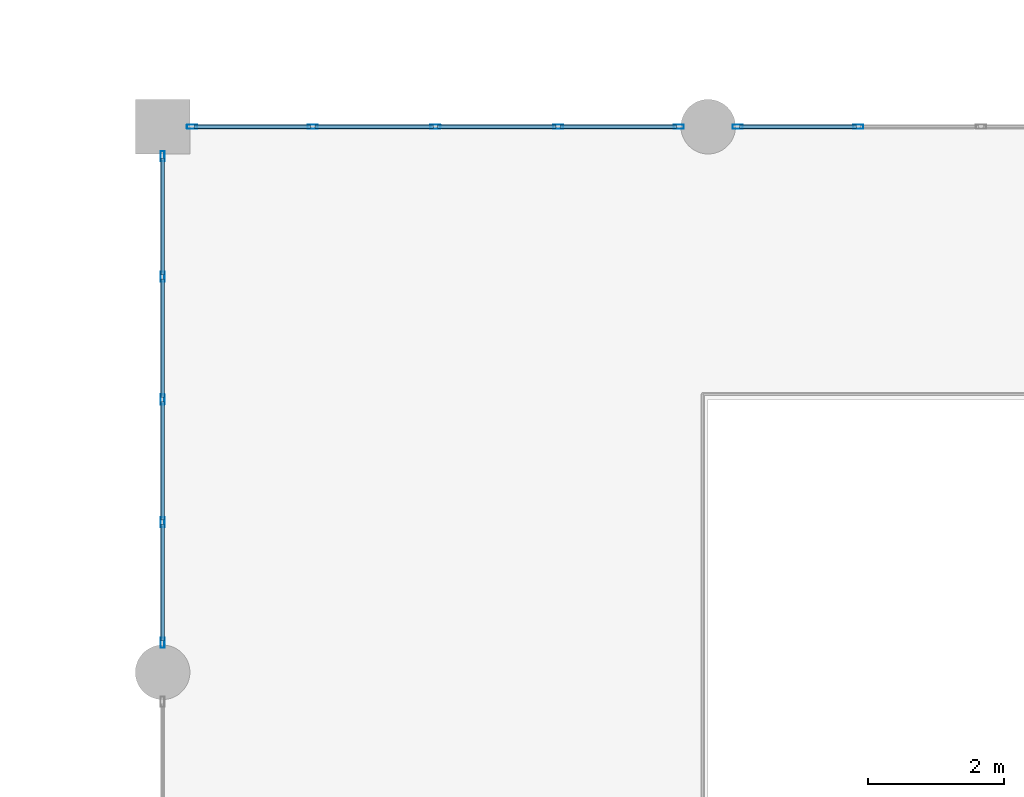
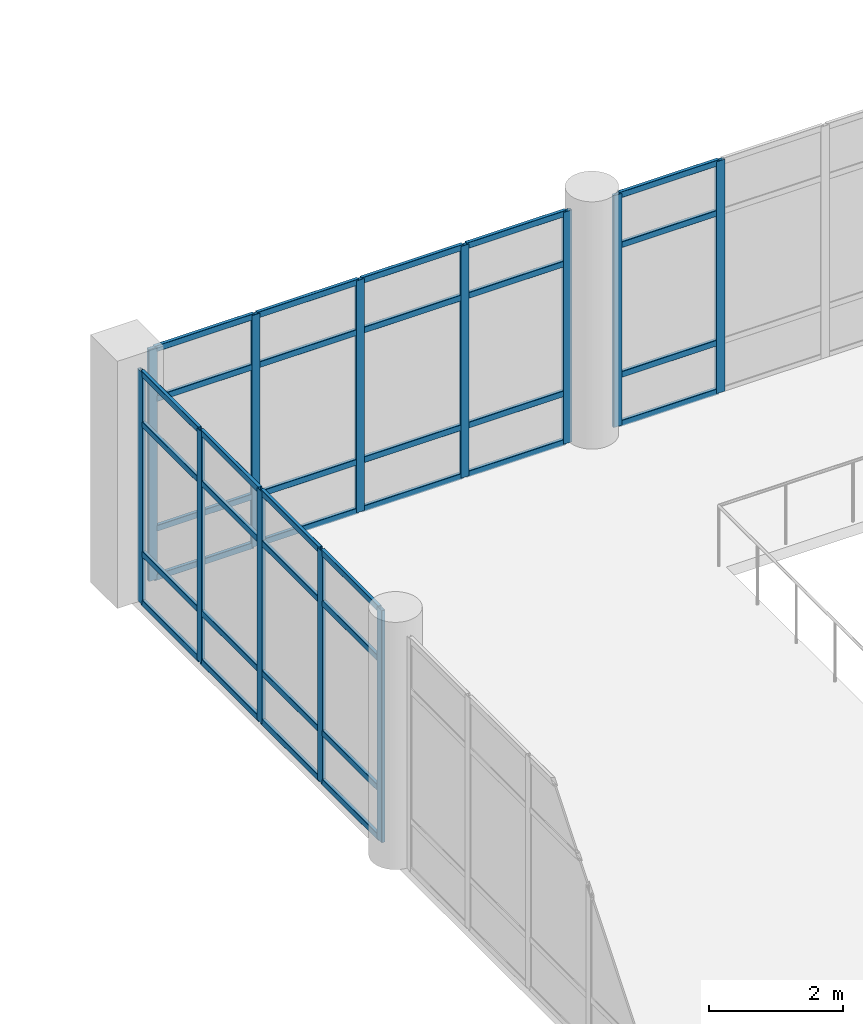
# One storey, part 23 of 42: 48 members, 3 elements without a shape of their own.
"""IFC4 building model written with IfcOpenShell, lengths in metres."""

import ifcopenshell
import ifcopenshell.guid

model = None  # the IFC model being written
_history = None  # IfcOwnerHistory: only IFC2X3 demands one
_inside = {}  # id of a spatial element -> (the spatial element, [elements in it])
_under = {}  # id of a project, library or spatial element -> (it, [spatial elements below it])
_declared = {}  # id of a project -> (the project, [libraries it declares])
_typed = {}  # id of a type object -> (the type object, [elements of that type])
_made_of = {}  # id of a material, layer set ... -> (it, [elements and type objects made of it])


def new_model(schema):
    """Start an empty IFC model of exactly this schema.

    Asked for "IFC4X3", IfcOpenShell would pick the latest addendum, in which some entities
    have other attributes; the version numbers below select the first issue.
    IFC2X3 requires an IfcOwnerHistory on every rooted entity: one is made here for all.
    """
    global model, _history
    if schema == "IFC4X3":
        model = ifcopenshell.file(schema_version=(4, 3, 0, 0))
    else:
        model = ifcopenshell.file(schema=schema)
    _inside.clear()
    _under.clear()
    _declared.clear()
    _typed.clear()
    _made_of.clear()
    _history = None
    if model.schema == "IFC2X3":
        org = make("IfcOrganization", Name="unknown")
        user = make(
            "IfcPersonAndOrganization",
            ThePerson=make("IfcPerson", FamilyName="unknown"),
            TheOrganization=org,
        )
        app = make(
            "IfcApplication",
            ApplicationDeveloper=org,
            Version="unknown",
            ApplicationFullName="unknown",
            ApplicationIdentifier="unknown",
        )
        _history = make(
            "IfcOwnerHistory",
            OwningUser=user,
            OwningApplication=app,
            ChangeAction="ADDED",
            CreationDate=0,
        )
    return model


def make(cls, **values):
    """One entity of the class cls with the attributes given. An attribute that is None is left unset."""
    return model.create_entity(
        cls, **{name: value for name, value in values.items() if value is not None}
    )


def rooted(cls, **values):
    """An entity with a GlobalId (a new one), such as an element, a storey or a relation."""
    return make(cls, GlobalId=ifcopenshell.guid.new(), OwnerHistory=_history, **values)


def si_unit(unit_type, name, prefix=None):
    """IfcSIUnit, for example si_unit("LENGTHUNIT", "METRE", prefix="MILLI")."""
    return make("IfcSIUnit", UnitType=unit_type, Prefix=prefix, Name=name)


def assignment(units):
    """IfcUnitAssignment: the units of a project."""
    return None if units is None else make("IfcUnitAssignment", Units=units)


def point(xyz):
    """IfcCartesianPoint."""
    return None if xyz is None else make("IfcCartesianPoint", Coordinates=xyz)


def direction(xyz):
    """IfcDirection."""
    return None if xyz is None else make("IfcDirection", DirectionRatios=xyz)


def frame(location, z_axis=None, x_axis=None):
    """IfcAxis2Placement3D, a coordinate frame: its origin and axes. An axis left out is left unset."""
    return make(
        "IfcAxis2Placement3D",
        Location=point(location),
        Axis=direction(z_axis),
        RefDirection=direction(x_axis),
    )


def frame_2d(location, x_axis=None):
    """IfcAxis2Placement2D, a coordinate frame in the plane: its origin and x axis."""
    return make(
        "IfcAxis2Placement2D", Location=point(location), RefDirection=direction(x_axis)
    )


def origin():
    """The frame at (0, 0, 0) with its axes left unset."""
    return frame((0.0, 0.0, 0.0))


def origin_2d():
    """The frame at (0, 0) in the plane with its x axis left unset."""
    return frame_2d((0.0, 0.0))


def place(relative_to, where):
    """IfcLocalPlacement: puts the frame where relative to a parent placement (None: the world)."""
    return make(
        "IfcLocalPlacement", PlacementRelTo=relative_to, RelativePlacement=where
    )


def context(
    kind, dimensions, precision=None, world=None, true_north=None, identifier=None
):
    """IfcGeometricRepresentationContext, for example the 3D "Model" context."""
    return make(
        "IfcGeometricRepresentationContext",
        ContextIdentifier=identifier,
        ContextType=kind,
        CoordinateSpaceDimension=dimensions,
        Precision=precision,
        WorldCoordinateSystem=world,
        TrueNorth=true_north,
    )


def subcontext(parent, identifier, kind, view, scale=None):
    """IfcGeometricRepresentationSubContext, for example "Body" below "Model"."""
    return make(
        "IfcGeometricRepresentationSubContext",
        ContextIdentifier=identifier,
        ContextType=kind,
        ParentContext=parent,
        TargetScale=scale,
        TargetView=view,
    )


def project(units=None, contexts=None):
    """IfcProject with its units and contexts."""
    return rooted(
        "IfcProject",
        Name="project",
        RepresentationContexts=contexts,
        UnitsInContext=assignment(units),
    )


def spatial(cls, under=None, at=None, **own):
    """A site, building, storey or space (cls), placed at a placement, below another one or the project."""
    s = rooted(cls, ObjectPlacement=at, **own)
    if under is not None:
        _under.setdefault(under.id(), (under, []))[1].append(s)
    return s


def profile(cls, at=None, kind="AREA", **sizes):
    """A parametric profile (cls). Its sizes go by their IFC names, for example OverallWidth=200.0."""
    return make(cls, ProfileType=kind, Position=at, **sizes)


def hollow_rectangle(**sizes):
    """IfcRectangleHollowProfileDef."""
    return profile("IfcRectangleHollowProfileDef", **sizes)


def extrude(swept, where, along, depth):
    """IfcExtrudedAreaSolid: the profile swept, set in the frame where, extruded along a direction by depth."""
    return make(
        "IfcExtrudedAreaSolid",
        SweptArea=swept,
        Position=where,
        ExtrudedDirection=direction(along),
        Depth=depth,
    )


def shape(context_of_items, identifier, shape_type, items):
    """IfcShapeRepresentation: the items that make up one representation, for example the "Body"."""
    return make(
        "IfcShapeRepresentation",
        ContextOfItems=context_of_items,
        RepresentationIdentifier=identifier,
        RepresentationType=shape_type,
        Items=items,
    )


def material(Name=None, Category=None):
    """IfcMaterial."""
    return make("IfcMaterial", Name=Name, Category=Category)


def material_profile(
    of_material, cross_section, Name=None, Category=None, Priority=None
):
    """IfcMaterialProfile: a cross section and its material."""
    return make(
        "IfcMaterialProfile",
        Name=Name,
        Material=of_material,
        Profile=cross_section,
        Priority=Priority,
        Category=Category,
    )


def profile_set(profiles, Name=None, composite=None):
    """IfcMaterialProfileSet."""
    return make(
        "IfcMaterialProfileSet",
        Name=Name,
        MaterialProfiles=profiles,
        CompositeProfile=composite,
    )


def made_of(thing, what):
    """Note that an element or type object is made of a material, layer set ...; save() writes the relation."""
    if what is not None:
        _made_of.setdefault(what.id(), (what, []))[1].append(thing)
    return thing


def type_object(cls, material=None, **own):
    """A type object (cls), such as IfcWallType, which elements share."""
    return made_of(rooted(cls, **own), material)


def element(
    cls,
    number,
    at=None,
    inside=None,
    cuts=None,
    type_object=None,
    material=None,
    context=None,
    identifier="Body",
    shape_type=None,
    held_by="IfcProductDefinitionShape",
    body=None,
    shapes=None,
    **own,
):
    """One element of the class cls, such as IfcWall. Its Tag is "e" and its number.

    at: its placement. inside: the storey or other place that contains it. cuts: it is an
    opening in that element (IfcRelVoidsElement). A single representation is given by context,
    identifier, shape_type and body (its items); several are given by shapes. held_by: the class
    of the entity that holds the representations. save() writes the other relations.
    """
    e = rooted(cls, Tag="e%d" % number, ObjectPlacement=at, **own)
    if body is not None:
        shapes = [shape(context, identifier, shape_type, body)]
    if shapes is not None:
        e.Representation = make(held_by, Representations=shapes)
    if inside is not None:
        _inside.setdefault(inside.id(), (inside, []))[1].append(e)
    if cuts is not None:
        rooted(
            "IfcRelVoidsElement", RelatingBuildingElement=cuts, RelatedOpeningElement=e
        )
    if type_object is not None:
        _typed.setdefault(type_object.id(), (type_object, []))[1].append(e)
    return made_of(e, material)


def aggregate(whole, parts):
    """IfcRelAggregates: a whole, such as a stair, and the parts it consists of."""
    return rooted("IfcRelAggregates", RelatingObject=whole, RelatedObjects=parts)


def save(model, path):
    """Write the relations noted so far, then the file.

    IfcRelAggregates (storeys below a building ...), IfcRelContainedInSpatialStructure (elements
    in a storey), IfcRelDefinesByType, IfcRelAssociatesMaterial and IfcRelDeclares: one each for
    every whole, place, type object, material and project.
    """
    for whole, parts in _under.values():
        aggregate(whole, parts)
    for where, things in _inside.values():
        rooted(
            "IfcRelContainedInSpatialStructure",
            RelatedElements=things,
            RelatingStructure=where,
        )
    for kind, things in _typed.values():
        rooted("IfcRelDefinesByType", RelatedObjects=things, RelatingType=kind)
    for what, things in _made_of.values():
        rooted("IfcRelAssociatesMaterial", RelatedObjects=things, RelatingMaterial=what)
    for by, libraries in _declared.values():
        rooted("IfcRelDeclares", RelatingContext=by, RelatedDefinitions=libraries)
    model.write(path)


model = new_model("IFC4")

# Units and contexts
model_context = context("Model", 3, precision=1e-05, world=origin(), true_north=direction((0.0, 1.0)))
body_context = subcontext(model_context, "Body", "Model", "MODEL_VIEW")
ifc_project = project(units=[si_unit("LENGTHUNIT", "METRE"), si_unit("AREAUNIT", "SQUARE_METRE"), si_unit("VOLUMEUNIT", "CUBIC_METRE"), si_unit("PLANEANGLEUNIT", "RADIAN"), si_unit("MASSUNIT", "GRAM", prefix="KILO")], contexts=[model_context])

# Site, building, storey
site_placement = place(None, origin())
site = spatial("IfcSite", under=ifc_project, at=site_placement, CompositionType="ELEMENT")
building_placement = place(site_placement, origin())
building = spatial("IfcBuilding", under=site, at=building_placement, Name="Solmirada Galleria", CompositionType="ELEMENT")
storey_placement = place(building_placement, frame((0.0, 0.0, 28.39990234375)))
storey = spatial("IfcBuildingStorey", under=building, at=storey_placement, Name="L06", CompositionType="ELEMENT", Elevation=28.39990234375)

# Curtain wall, members
ifc_material_1 = material(Name="Impact-resistant low-E double glazing", Category="glass")
curtain_wall_type = type_object("IfcCurtainWallType", Name="CW-FZ3-L06-B4-L072", PredefinedType="NOTDEFINED", material=ifc_material_1)
curtain_wall_1_placement = place(storey_placement, origin())
curtain_wall_1 = element("IfcCurtainWall", 1, at=curtain_wall_1_placement, inside=storey, type_object=curtain_wall_type, Name="Terrace and arcade storefront CW-L06-188", PredefinedType="NOTDEFINED")
ifc_material_2 = material(Name="Anodised aluminium framing", Category="aluminium")
ifc_material_profile_1 = material_profile(ifc_material_2, hollow_rectangle(XDim=0.06005859375, YDim=0.14990234375, WallThickness=0.00341796875, InnerFilletRadius=0.00341796875, OuterFilletRadius=0.007080078125, at=origin_2d()), Name="ALU-MULL-150X60")
ifc_profile_set_1 = profile_set([ifc_material_profile_1], Name="Anodised aluminium framing")
member_type_1 = type_object("IfcMemberType", Name="CW-MULL-150", PredefinedType="MULLION", material=ifc_profile_set_1)
member_1_placement = place(storey_placement, frame((80.0, 64.431884765625, 0.0), z_axis=(0.0, 0.0, 1.0), x_axis=(-1.0, 0.0, 0.0)))
member_1 = element("IfcMember", 2, at=member_1_placement, type_object=member_type_1, Name="CW38 mullion 1", PredefinedType="MULLION", context=body_context, shape_type="SweptSolid", body=[
    extrude(hollow_rectangle(XDim=0.06005859375, YDim=0.14990234375, WallThickness=0.00341796875, InnerFilletRadius=0.00341796875, OuterFilletRadius=0.007080078125, at=origin_2d()), origin(), (0.0, 0.0, 1.0), 4.22021484375),
])
member_2_placement = place(storey_placement, frame((80.0, 66.200927734375, 0.0), z_axis=(0.0, 0.0, 1.0), x_axis=(-1.0, 0.0, 0.0)))
member_2 = element("IfcMember", 3, at=member_2_placement, type_object=member_type_1, Name="CW38 mullion 2", PredefinedType="MULLION", context=body_context, shape_type="SweptSolid", body=[
    extrude(hollow_rectangle(XDim=0.06005859375, YDim=0.14990234375, WallThickness=0.00341796875, InnerFilletRadius=0.00341796875, OuterFilletRadius=0.007080078125, at=origin_2d()), origin(), (0.0, 0.0, 1.0), 4.22021484375),
])
member_3_placement = place(storey_placement, frame((80.0, 68.0, 0.0), z_axis=(0.0, 0.0, 1.0), x_axis=(-1.0, 0.0, 0.0)))
member_3 = element("IfcMember", 4, at=member_3_placement, type_object=member_type_1, Name="CW38 mullion 3", PredefinedType="MULLION", context=body_context, shape_type="SweptSolid", body=[
    extrude(hollow_rectangle(XDim=0.06005859375, YDim=0.14990234375, WallThickness=0.00341796875, InnerFilletRadius=0.00341796875, OuterFilletRadius=0.007080078125, at=origin_2d()), origin(), (0.0, 0.0, 1.0), 4.22021484375),
])
member_4_placement = place(storey_placement, frame((80.0, 69.799072265625, 0.0), z_axis=(0.0, 0.0, 1.0), x_axis=(-1.0, 0.0, 0.0)))
member_4 = element("IfcMember", 5, at=member_4_placement, type_object=member_type_1, Name="CW38 mullion 4", PredefinedType="MULLION", context=body_context, shape_type="SweptSolid", body=[
    extrude(hollow_rectangle(XDim=0.06005859375, YDim=0.14990234375, WallThickness=0.00341796875, InnerFilletRadius=0.00341796875, OuterFilletRadius=0.007080078125, at=origin_2d()), origin(), (0.0, 0.0, 1.0), 4.22021484375),
])
member_5_placement = place(storey_placement, frame((80.0, 71.568115234375, 0.0), z_axis=(0.0, 0.0, 1.0), x_axis=(-1.0, 0.0, 0.0)))
member_5 = element("IfcMember", 6, at=member_5_placement, type_object=member_type_1, Name="CW38 mullion 5", PredefinedType="MULLION", context=body_context, shape_type="SweptSolid", body=[
    extrude(hollow_rectangle(XDim=0.06005859375, YDim=0.14990234375, WallThickness=0.00341796875, InnerFilletRadius=0.00341796875, OuterFilletRadius=0.007080078125, at=origin_2d()), origin(), (0.0, 0.0, 1.0), 4.22021484375),
])

curtain_wall_2_placement = place(storey_placement, origin())
curtain_wall_2 = element("IfcCurtainWall", 7, at=curtain_wall_2_placement, inside=storey, type_object=curtain_wall_type, Name="Terrace and arcade storefront CW-L06-189", PredefinedType="NOTDEFINED")
member_6_placement = place(storey_placement, frame((80.431884765625, 72.0, 0.0), z_axis=(0.0, 0.0, 1.0), x_axis=(0.0, 1.0, 0.0)))
member_6 = element("IfcMember", 8, at=member_6_placement, type_object=member_type_1, Name="CW38 mullion 1", PredefinedType="MULLION", context=body_context, shape_type="SweptSolid", body=[
    extrude(hollow_rectangle(XDim=0.06005859375, YDim=0.14990234375, WallThickness=0.00341796875, InnerFilletRadius=0.00341796875, OuterFilletRadius=0.007080078125, at=origin_2d()), origin(), (0.0, 0.0, 1.0), 4.22021484375),
])
member_7_placement = place(storey_placement, frame((82.200927734375, 72.0, 0.0), z_axis=(0.0, 0.0, 1.0), x_axis=(0.0, 1.0, 0.0)))
member_7 = element("IfcMember", 9, at=member_7_placement, type_object=member_type_1, Name="CW38 mullion 2", PredefinedType="MULLION", context=body_context, shape_type="SweptSolid", body=[
    extrude(hollow_rectangle(XDim=0.06005859375, YDim=0.14990234375, WallThickness=0.00341796875, InnerFilletRadius=0.00341796875, OuterFilletRadius=0.007080078125, at=origin_2d()), origin(), (0.0, 0.0, 1.0), 4.22021484375),
])
member_8_placement = place(storey_placement, frame((84.0, 72.0, 0.0), z_axis=(0.0, 0.0, 1.0), x_axis=(0.0, 1.0, 0.0)))
member_8 = element("IfcMember", 10, at=member_8_placement, type_object=member_type_1, Name="CW38 mullion 3", PredefinedType="MULLION", context=body_context, shape_type="SweptSolid", body=[
    extrude(hollow_rectangle(XDim=0.06005859375, YDim=0.14990234375, WallThickness=0.00341796875, InnerFilletRadius=0.00341796875, OuterFilletRadius=0.007080078125, at=origin_2d()), origin(), (0.0, 0.0, 1.0), 4.22021484375),
])
member_9_placement = place(storey_placement, frame((85.799072265625, 72.0, 0.0), z_axis=(0.0, 0.0, 1.0), x_axis=(0.0, 1.0, 0.0)))
member_9 = element("IfcMember", 11, at=member_9_placement, type_object=member_type_1, Name="CW38 mullion 4", PredefinedType="MULLION", context=body_context, shape_type="SweptSolid", body=[
    extrude(hollow_rectangle(XDim=0.06005859375, YDim=0.14990234375, WallThickness=0.00341796875, InnerFilletRadius=0.00341796875, OuterFilletRadius=0.007080078125, at=origin_2d()), origin(), (0.0, 0.0, 1.0), 4.22021484375),
])
member_10_placement = place(storey_placement, frame((87.568115234375, 72.0, 0.0), z_axis=(0.0, 0.0, 1.0), x_axis=(0.0, 1.0, 0.0)))
member_10 = element("IfcMember", 12, at=member_10_placement, type_object=member_type_1, Name="CW38 mullion 5", PredefinedType="MULLION", context=body_context, shape_type="SweptSolid", body=[
    extrude(hollow_rectangle(XDim=0.06005859375, YDim=0.14990234375, WallThickness=0.00341796875, InnerFilletRadius=0.00341796875, OuterFilletRadius=0.007080078125, at=origin_2d()), origin(), (0.0, 0.0, 1.0), 4.22021484375),
])

curtain_wall_3_placement = place(storey_placement, origin())
curtain_wall_3 = element("IfcCurtainWall", 13, at=curtain_wall_3_placement, inside=storey, type_object=curtain_wall_type, Name="Terrace and arcade storefront CW-L06-190", PredefinedType="NOTDEFINED")
member_11_placement = place(storey_placement, frame((88.431884765625, 72.0, 0.0), z_axis=(0.0, 0.0, 1.0), x_axis=(0.0, 1.0, 0.0)))
member_11 = element("IfcMember", 14, at=member_11_placement, type_object=member_type_1, Name="CW38 mullion 1", PredefinedType="MULLION", context=body_context, shape_type="SweptSolid", body=[
    extrude(hollow_rectangle(XDim=0.06005859375, YDim=0.14990234375, WallThickness=0.00341796875, InnerFilletRadius=0.00341796875, OuterFilletRadius=0.007080078125, at=origin_2d()), origin(), (0.0, 0.0, 1.0), 4.22021484375),
])
member_12_placement = place(storey_placement, frame((90.200927734375, 72.0, 0.0), z_axis=(0.0, 0.0, 1.0), x_axis=(0.0, 1.0, 0.0)))
member_12 = element("IfcMember", 15, at=member_12_placement, type_object=member_type_1, Name="CW38 mullion 2", PredefinedType="MULLION", context=body_context, shape_type="SweptSolid", body=[
    extrude(hollow_rectangle(XDim=0.06005859375, YDim=0.14990234375, WallThickness=0.00341796875, InnerFilletRadius=0.00341796875, OuterFilletRadius=0.007080078125, at=origin_2d()), origin(), (0.0, 0.0, 1.0), 4.22021484375),
])

# Member
ifc_material_profile_2 = material_profile(ifc_material_2, hollow_rectangle(XDim=0.06005859375, YDim=0.110107421875, WallThickness=0.003173828125, InnerFilletRadius=0.003173828125, OuterFilletRadius=0.00634765625, at=origin_2d()), Name="ALU-TRAN-110X60")
ifc_profile_set_2 = profile_set([ifc_material_profile_2], Name="Anodised aluminium framing")
member_type_2 = type_object("IfcMemberType", Name="CW-TRAN-110", PredefinedType="USERDEFINED", material=ifc_profile_set_2)
member_13_placement = place(storey_placement, frame((80.0, 64.4619140625, 0.030029296875), z_axis=(0.0, 1.0, 0.0), x_axis=(-1.0, 0.0, 0.0)))
member_13 = element("IfcMember", 16, at=member_13_placement, type_object=member_type_2, Name="CW38 transom 1.1", ObjectType="TRANSOM", PredefinedType="USERDEFINED", context=body_context, shape_type="SweptSolid", body=[
    extrude(hollow_rectangle(XDim=0.06005859375, YDim=0.110107421875, WallThickness=0.003173828125, InnerFilletRadius=0.003173828125, OuterFilletRadius=0.00634765625, at=origin_2d()), origin(), (0.0, 0.0, 1.0), 1.708984375),
])

member_14_placement = place(storey_placement, frame((80.0, 64.4619140625, 0.920166015625), z_axis=(0.0, 1.0, 0.0), x_axis=(-1.0, 0.0, 0.0)))
member_14 = element("IfcMember", 17, at=member_14_placement, type_object=member_type_2, Name="CW38 transom 1.2", ObjectType="TRANSOM", PredefinedType="USERDEFINED", context=body_context, shape_type="SweptSolid", body=[
    extrude(hollow_rectangle(XDim=0.06005859375, YDim=0.110107421875, WallThickness=0.003173828125, InnerFilletRadius=0.003173828125, OuterFilletRadius=0.00634765625, at=origin_2d()), origin(), (0.0, 0.0, 1.0), 1.708984375),
])

member_15_placement = place(storey_placement, frame((80.0, 64.4619140625, 3.280029296875), z_axis=(0.0, 1.0, 0.0), x_axis=(-1.0, 0.0, 0.0)))
member_15 = element("IfcMember", 18, at=member_15_placement, type_object=member_type_2, Name="CW38 transom 1.3", ObjectType="TRANSOM", PredefinedType="USERDEFINED", context=body_context, shape_type="SweptSolid", body=[
    extrude(hollow_rectangle(XDim=0.06005859375, YDim=0.110107421875, WallThickness=0.003173828125, InnerFilletRadius=0.003173828125, OuterFilletRadius=0.00634765625, at=origin_2d()), origin(), (0.0, 0.0, 1.0), 1.708984375),
])

member_16_placement = place(storey_placement, frame((80.0, 64.4619140625, 4.190185546875), z_axis=(0.0, 1.0, 0.0), x_axis=(-1.0, 0.0, 0.0)))
member_16 = element("IfcMember", 19, at=member_16_placement, type_object=member_type_2, Name="CW38 transom 1.4", ObjectType="TRANSOM", PredefinedType="USERDEFINED", context=body_context, shape_type="SweptSolid", body=[
    extrude(hollow_rectangle(XDim=0.06005859375, YDim=0.110107421875, WallThickness=0.003173828125, InnerFilletRadius=0.003173828125, OuterFilletRadius=0.00634765625, at=origin_2d()), origin(), (0.0, 0.0, 1.0), 1.708984375),
])

member_17_placement = place(storey_placement, frame((80.0, 66.23095703125, 0.030029296875), z_axis=(0.0, 1.0, 0.0), x_axis=(-1.0, 0.0, 0.0)))
member_17 = element("IfcMember", 20, at=member_17_placement, type_object=member_type_2, Name="CW38 transom 2.1", ObjectType="TRANSOM", PredefinedType="USERDEFINED", context=body_context, shape_type="SweptSolid", body=[
    extrude(hollow_rectangle(XDim=0.06005859375, YDim=0.110107421875, WallThickness=0.003173828125, InnerFilletRadius=0.003173828125, OuterFilletRadius=0.00634765625, at=origin_2d()), origin(), (0.0, 0.0, 1.0), 1.739013671875),
])

member_18_placement = place(storey_placement, frame((80.0, 66.23095703125, 0.920166015625), z_axis=(0.0, 1.0, 0.0), x_axis=(-1.0, 0.0, 0.0)))
member_18 = element("IfcMember", 21, at=member_18_placement, type_object=member_type_2, Name="CW38 transom 2.2", ObjectType="TRANSOM", PredefinedType="USERDEFINED", context=body_context, shape_type="SweptSolid", body=[
    extrude(hollow_rectangle(XDim=0.06005859375, YDim=0.110107421875, WallThickness=0.003173828125, InnerFilletRadius=0.003173828125, OuterFilletRadius=0.00634765625, at=origin_2d()), origin(), (0.0, 0.0, 1.0), 1.739013671875),
])

member_19_placement = place(storey_placement, frame((80.0, 66.23095703125, 3.280029296875), z_axis=(0.0, 1.0, 0.0), x_axis=(-1.0, 0.0, 0.0)))
member_19 = element("IfcMember", 22, at=member_19_placement, type_object=member_type_2, Name="CW38 transom 2.3", ObjectType="TRANSOM", PredefinedType="USERDEFINED", context=body_context, shape_type="SweptSolid", body=[
    extrude(hollow_rectangle(XDim=0.06005859375, YDim=0.110107421875, WallThickness=0.003173828125, InnerFilletRadius=0.003173828125, OuterFilletRadius=0.00634765625, at=origin_2d()), origin(), (0.0, 0.0, 1.0), 1.739013671875),
])

member_20_placement = place(storey_placement, frame((80.0, 66.23095703125, 4.190185546875), z_axis=(0.0, 1.0, 0.0), x_axis=(-1.0, 0.0, 0.0)))
member_20 = element("IfcMember", 23, at=member_20_placement, type_object=member_type_2, Name="CW38 transom 2.4", ObjectType="TRANSOM", PredefinedType="USERDEFINED", context=body_context, shape_type="SweptSolid", body=[
    extrude(hollow_rectangle(XDim=0.06005859375, YDim=0.110107421875, WallThickness=0.003173828125, InnerFilletRadius=0.003173828125, OuterFilletRadius=0.00634765625, at=origin_2d()), origin(), (0.0, 0.0, 1.0), 1.739013671875),
])

member_21_placement = place(storey_placement, frame((80.0, 68.030029296875, 0.030029296875), z_axis=(0.0, 1.0, 0.0), x_axis=(-1.0, 0.0, 0.0)))
member_21 = element("IfcMember", 24, at=member_21_placement, type_object=member_type_2, Name="CW38 transom 3.1", ObjectType="TRANSOM", PredefinedType="USERDEFINED", context=body_context, shape_type="SweptSolid", body=[
    extrude(hollow_rectangle(XDim=0.06005859375, YDim=0.110107421875, WallThickness=0.003173828125, InnerFilletRadius=0.003173828125, OuterFilletRadius=0.00634765625, at=origin_2d()), origin(), (0.0, 0.0, 1.0), 1.739013671875),
])

member_22_placement = place(storey_placement, frame((80.0, 68.030029296875, 0.920166015625), z_axis=(0.0, 1.0, 0.0), x_axis=(-1.0, 0.0, 0.0)))
member_22 = element("IfcMember", 25, at=member_22_placement, type_object=member_type_2, Name="CW38 transom 3.2", ObjectType="TRANSOM", PredefinedType="USERDEFINED", context=body_context, shape_type="SweptSolid", body=[
    extrude(hollow_rectangle(XDim=0.06005859375, YDim=0.110107421875, WallThickness=0.003173828125, InnerFilletRadius=0.003173828125, OuterFilletRadius=0.00634765625, at=origin_2d()), origin(), (0.0, 0.0, 1.0), 1.739013671875),
])

member_23_placement = place(storey_placement, frame((80.0, 68.030029296875, 3.280029296875), z_axis=(0.0, 1.0, 0.0), x_axis=(-1.0, 0.0, 0.0)))
member_23 = element("IfcMember", 26, at=member_23_placement, type_object=member_type_2, Name="CW38 transom 3.3", ObjectType="TRANSOM", PredefinedType="USERDEFINED", context=body_context, shape_type="SweptSolid", body=[
    extrude(hollow_rectangle(XDim=0.06005859375, YDim=0.110107421875, WallThickness=0.003173828125, InnerFilletRadius=0.003173828125, OuterFilletRadius=0.00634765625, at=origin_2d()), origin(), (0.0, 0.0, 1.0), 1.739013671875),
])

member_24_placement = place(storey_placement, frame((80.0, 68.030029296875, 4.190185546875), z_axis=(0.0, 1.0, 0.0), x_axis=(-1.0, 0.0, 0.0)))
member_24 = element("IfcMember", 27, at=member_24_placement, type_object=member_type_2, Name="CW38 transom 3.4", ObjectType="TRANSOM", PredefinedType="USERDEFINED", context=body_context, shape_type="SweptSolid", body=[
    extrude(hollow_rectangle(XDim=0.06005859375, YDim=0.110107421875, WallThickness=0.003173828125, InnerFilletRadius=0.003173828125, OuterFilletRadius=0.00634765625, at=origin_2d()), origin(), (0.0, 0.0, 1.0), 1.739013671875),
])

member_25_placement = place(storey_placement, frame((80.0, 69.8291015625, 0.030029296875), z_axis=(0.0, 1.0, 0.0), x_axis=(-1.0, 0.0, 0.0)))
member_25 = element("IfcMember", 28, at=member_25_placement, type_object=member_type_2, Name="CW38 transom 4.1", ObjectType="TRANSOM", PredefinedType="USERDEFINED", context=body_context, shape_type="SweptSolid", body=[
    extrude(hollow_rectangle(XDim=0.06005859375, YDim=0.110107421875, WallThickness=0.003173828125, InnerFilletRadius=0.003173828125, OuterFilletRadius=0.00634765625, at=origin_2d()), origin(), (0.0, 0.0, 1.0), 1.708984375),
])

member_26_placement = place(storey_placement, frame((80.0, 69.8291015625, 0.920166015625), z_axis=(0.0, 1.0, 0.0), x_axis=(-1.0, 0.0, 0.0)))
member_26 = element("IfcMember", 29, at=member_26_placement, type_object=member_type_2, Name="CW38 transom 4.2", ObjectType="TRANSOM", PredefinedType="USERDEFINED", context=body_context, shape_type="SweptSolid", body=[
    extrude(hollow_rectangle(XDim=0.06005859375, YDim=0.110107421875, WallThickness=0.003173828125, InnerFilletRadius=0.003173828125, OuterFilletRadius=0.00634765625, at=origin_2d()), origin(), (0.0, 0.0, 1.0), 1.708984375),
])

member_27_placement = place(storey_placement, frame((80.0, 69.8291015625, 3.280029296875), z_axis=(0.0, 1.0, 0.0), x_axis=(-1.0, 0.0, 0.0)))
member_27 = element("IfcMember", 30, at=member_27_placement, type_object=member_type_2, Name="CW38 transom 4.3", ObjectType="TRANSOM", PredefinedType="USERDEFINED", context=body_context, shape_type="SweptSolid", body=[
    extrude(hollow_rectangle(XDim=0.06005859375, YDim=0.110107421875, WallThickness=0.003173828125, InnerFilletRadius=0.003173828125, OuterFilletRadius=0.00634765625, at=origin_2d()), origin(), (0.0, 0.0, 1.0), 1.708984375),
])

member_28_placement = place(storey_placement, frame((80.0, 69.8291015625, 4.190185546875), z_axis=(0.0, 1.0, 0.0), x_axis=(-1.0, 0.0, 0.0)))
member_28 = element("IfcMember", 31, at=member_28_placement, type_object=member_type_2, Name="CW38 transom 4.4", ObjectType="TRANSOM", PredefinedType="USERDEFINED", context=body_context, shape_type="SweptSolid", body=[
    extrude(hollow_rectangle(XDim=0.06005859375, YDim=0.110107421875, WallThickness=0.003173828125, InnerFilletRadius=0.003173828125, OuterFilletRadius=0.00634765625, at=origin_2d()), origin(), (0.0, 0.0, 1.0), 1.708984375),
])

aggregate(curtain_wall_1, [member_1, member_2, member_3, member_4, member_5, member_13, member_14, member_15, member_16, member_17, member_18, member_19, member_20, member_21, member_22, member_23, member_24, member_25, member_26, member_27, member_28])

member_29_placement = place(storey_placement, frame((80.4619140625, 72.0, 0.030029296875), z_axis=(1.0, 0.0, 0.0), x_axis=(0.0, 1.0, 0.0)))
member_29 = element("IfcMember", 32, at=member_29_placement, type_object=member_type_2, Name="CW38 transom 1.1", ObjectType="TRANSOM", PredefinedType="USERDEFINED", context=body_context, shape_type="SweptSolid", body=[
    extrude(hollow_rectangle(XDim=0.06005859375, YDim=0.110107421875, WallThickness=0.003173828125, InnerFilletRadius=0.003173828125, OuterFilletRadius=0.00634765625, at=origin_2d()), origin(), (0.0, 0.0, 1.0), 1.708984375),
])

member_30_placement = place(storey_placement, frame((80.4619140625, 72.0, 0.920166015625), z_axis=(1.0, 0.0, 0.0), x_axis=(0.0, 1.0, 0.0)))
member_30 = element("IfcMember", 33, at=member_30_placement, type_object=member_type_2, Name="CW38 transom 1.2", ObjectType="TRANSOM", PredefinedType="USERDEFINED", context=body_context, shape_type="SweptSolid", body=[
    extrude(hollow_rectangle(XDim=0.06005859375, YDim=0.110107421875, WallThickness=0.003173828125, InnerFilletRadius=0.003173828125, OuterFilletRadius=0.00634765625, at=origin_2d()), origin(), (0.0, 0.0, 1.0), 1.708984375),
])

member_31_placement = place(storey_placement, frame((80.4619140625, 72.0, 3.280029296875), z_axis=(1.0, 0.0, 0.0), x_axis=(0.0, 1.0, 0.0)))
member_31 = element("IfcMember", 34, at=member_31_placement, type_object=member_type_2, Name="CW38 transom 1.3", ObjectType="TRANSOM", PredefinedType="USERDEFINED", context=body_context, shape_type="SweptSolid", body=[
    extrude(hollow_rectangle(XDim=0.06005859375, YDim=0.110107421875, WallThickness=0.003173828125, InnerFilletRadius=0.003173828125, OuterFilletRadius=0.00634765625, at=origin_2d()), origin(), (0.0, 0.0, 1.0), 1.708984375),
])

member_32_placement = place(storey_placement, frame((80.4619140625, 72.0, 4.190185546875), z_axis=(1.0, 0.0, 0.0), x_axis=(0.0, 1.0, 0.0)))
member_32 = element("IfcMember", 35, at=member_32_placement, type_object=member_type_2, Name="CW38 transom 1.4", ObjectType="TRANSOM", PredefinedType="USERDEFINED", context=body_context, shape_type="SweptSolid", body=[
    extrude(hollow_rectangle(XDim=0.06005859375, YDim=0.110107421875, WallThickness=0.003173828125, InnerFilletRadius=0.003173828125, OuterFilletRadius=0.00634765625, at=origin_2d()), origin(), (0.0, 0.0, 1.0), 1.708984375),
])

member_33_placement = place(storey_placement, frame((82.23095703125, 72.0, 0.030029296875), z_axis=(1.0, 0.0, 0.0), x_axis=(0.0, 1.0, 0.0)))
member_33 = element("IfcMember", 36, at=member_33_placement, type_object=member_type_2, Name="CW38 transom 2.1", ObjectType="TRANSOM", PredefinedType="USERDEFINED", context=body_context, shape_type="SweptSolid", body=[
    extrude(hollow_rectangle(XDim=0.06005859375, YDim=0.110107421875, WallThickness=0.003173828125, InnerFilletRadius=0.003173828125, OuterFilletRadius=0.00634765625, at=origin_2d()), origin(), (0.0, 0.0, 1.0), 1.739013671875),
])

member_34_placement = place(storey_placement, frame((82.23095703125, 72.0, 0.920166015625), z_axis=(1.0, 0.0, 0.0), x_axis=(0.0, 1.0, 0.0)))
member_34 = element("IfcMember", 37, at=member_34_placement, type_object=member_type_2, Name="CW38 transom 2.2", ObjectType="TRANSOM", PredefinedType="USERDEFINED", context=body_context, shape_type="SweptSolid", body=[
    extrude(hollow_rectangle(XDim=0.06005859375, YDim=0.110107421875, WallThickness=0.003173828125, InnerFilletRadius=0.003173828125, OuterFilletRadius=0.00634765625, at=origin_2d()), origin(), (0.0, 0.0, 1.0), 1.739013671875),
])

member_35_placement = place(storey_placement, frame((82.23095703125, 72.0, 3.280029296875), z_axis=(1.0, 0.0, 0.0), x_axis=(0.0, 1.0, 0.0)))
member_35 = element("IfcMember", 38, at=member_35_placement, type_object=member_type_2, Name="CW38 transom 2.3", ObjectType="TRANSOM", PredefinedType="USERDEFINED", context=body_context, shape_type="SweptSolid", body=[
    extrude(hollow_rectangle(XDim=0.06005859375, YDim=0.110107421875, WallThickness=0.003173828125, InnerFilletRadius=0.003173828125, OuterFilletRadius=0.00634765625, at=origin_2d()), origin(), (0.0, 0.0, 1.0), 1.739013671875),
])

member_36_placement = place(storey_placement, frame((82.23095703125, 72.0, 4.190185546875), z_axis=(1.0, 0.0, 0.0), x_axis=(0.0, 1.0, 0.0)))
member_36 = element("IfcMember", 39, at=member_36_placement, type_object=member_type_2, Name="CW38 transom 2.4", ObjectType="TRANSOM", PredefinedType="USERDEFINED", context=body_context, shape_type="SweptSolid", body=[
    extrude(hollow_rectangle(XDim=0.06005859375, YDim=0.110107421875, WallThickness=0.003173828125, InnerFilletRadius=0.003173828125, OuterFilletRadius=0.00634765625, at=origin_2d()), origin(), (0.0, 0.0, 1.0), 1.739013671875),
])

member_37_placement = place(storey_placement, frame((84.030029296875, 72.0, 0.030029296875), z_axis=(1.0, 0.0, 0.0), x_axis=(0.0, 1.0, 0.0)))
member_37 = element("IfcMember", 40, at=member_37_placement, type_object=member_type_2, Name="CW38 transom 3.1", ObjectType="TRANSOM", PredefinedType="USERDEFINED", context=body_context, shape_type="SweptSolid", body=[
    extrude(hollow_rectangle(XDim=0.06005859375, YDim=0.110107421875, WallThickness=0.003173828125, InnerFilletRadius=0.003173828125, OuterFilletRadius=0.00634765625, at=origin_2d()), origin(), (0.0, 0.0, 1.0), 1.739013671875),
])

member_38_placement = place(storey_placement, frame((84.030029296875, 72.0, 0.920166015625), z_axis=(1.0, 0.0, 0.0), x_axis=(0.0, 1.0, 0.0)))
member_38 = element("IfcMember", 41, at=member_38_placement, type_object=member_type_2, Name="CW38 transom 3.2", ObjectType="TRANSOM", PredefinedType="USERDEFINED", context=body_context, shape_type="SweptSolid", body=[
    extrude(hollow_rectangle(XDim=0.06005859375, YDim=0.110107421875, WallThickness=0.003173828125, InnerFilletRadius=0.003173828125, OuterFilletRadius=0.00634765625, at=origin_2d()), origin(), (0.0, 0.0, 1.0), 1.739013671875),
])

member_39_placement = place(storey_placement, frame((84.030029296875, 72.0, 3.280029296875), z_axis=(1.0, 0.0, 0.0), x_axis=(0.0, 1.0, 0.0)))
member_39 = element("IfcMember", 42, at=member_39_placement, type_object=member_type_2, Name="CW38 transom 3.3", ObjectType="TRANSOM", PredefinedType="USERDEFINED", context=body_context, shape_type="SweptSolid", body=[
    extrude(hollow_rectangle(XDim=0.06005859375, YDim=0.110107421875, WallThickness=0.003173828125, InnerFilletRadius=0.003173828125, OuterFilletRadius=0.00634765625, at=origin_2d()), origin(), (0.0, 0.0, 1.0), 1.739013671875),
])

member_40_placement = place(storey_placement, frame((84.030029296875, 72.0, 4.190185546875), z_axis=(1.0, 0.0, 0.0), x_axis=(0.0, 1.0, 0.0)))
member_40 = element("IfcMember", 43, at=member_40_placement, type_object=member_type_2, Name="CW38 transom 3.4", ObjectType="TRANSOM", PredefinedType="USERDEFINED", context=body_context, shape_type="SweptSolid", body=[
    extrude(hollow_rectangle(XDim=0.06005859375, YDim=0.110107421875, WallThickness=0.003173828125, InnerFilletRadius=0.003173828125, OuterFilletRadius=0.00634765625, at=origin_2d()), origin(), (0.0, 0.0, 1.0), 1.739013671875),
])

member_41_placement = place(storey_placement, frame((85.8291015625, 72.0, 0.030029296875), z_axis=(1.0, 0.0, 0.0), x_axis=(0.0, 1.0, 0.0)))
member_41 = element("IfcMember", 44, at=member_41_placement, type_object=member_type_2, Name="CW38 transom 4.1", ObjectType="TRANSOM", PredefinedType="USERDEFINED", context=body_context, shape_type="SweptSolid", body=[
    extrude(hollow_rectangle(XDim=0.06005859375, YDim=0.110107421875, WallThickness=0.003173828125, InnerFilletRadius=0.003173828125, OuterFilletRadius=0.00634765625, at=origin_2d()), origin(), (0.0, 0.0, 1.0), 1.708984375),
])

member_42_placement = place(storey_placement, frame((85.8291015625, 72.0, 0.920166015625), z_axis=(1.0, 0.0, 0.0), x_axis=(0.0, 1.0, 0.0)))
member_42 = element("IfcMember", 45, at=member_42_placement, type_object=member_type_2, Name="CW38 transom 4.2", ObjectType="TRANSOM", PredefinedType="USERDEFINED", context=body_context, shape_type="SweptSolid", body=[
    extrude(hollow_rectangle(XDim=0.06005859375, YDim=0.110107421875, WallThickness=0.003173828125, InnerFilletRadius=0.003173828125, OuterFilletRadius=0.00634765625, at=origin_2d()), origin(), (0.0, 0.0, 1.0), 1.708984375),
])

member_43_placement = place(storey_placement, frame((85.8291015625, 72.0, 3.280029296875), z_axis=(1.0, 0.0, 0.0), x_axis=(0.0, 1.0, 0.0)))
member_43 = element("IfcMember", 46, at=member_43_placement, type_object=member_type_2, Name="CW38 transom 4.3", ObjectType="TRANSOM", PredefinedType="USERDEFINED", context=body_context, shape_type="SweptSolid", body=[
    extrude(hollow_rectangle(XDim=0.06005859375, YDim=0.110107421875, WallThickness=0.003173828125, InnerFilletRadius=0.003173828125, OuterFilletRadius=0.00634765625, at=origin_2d()), origin(), (0.0, 0.0, 1.0), 1.708984375),
])

member_44_placement = place(storey_placement, frame((85.8291015625, 72.0, 4.190185546875), z_axis=(1.0, 0.0, 0.0), x_axis=(0.0, 1.0, 0.0)))
member_44 = element("IfcMember", 47, at=member_44_placement, type_object=member_type_2, Name="CW38 transom 4.4", ObjectType="TRANSOM", PredefinedType="USERDEFINED", context=body_context, shape_type="SweptSolid", body=[
    extrude(hollow_rectangle(XDim=0.06005859375, YDim=0.110107421875, WallThickness=0.003173828125, InnerFilletRadius=0.003173828125, OuterFilletRadius=0.00634765625, at=origin_2d()), origin(), (0.0, 0.0, 1.0), 1.708984375),
])

aggregate(curtain_wall_2, [member_6, member_7, member_8, member_9, member_10, member_29, member_30, member_31, member_32, member_33, member_34, member_35, member_36, member_37, member_38, member_39, member_40, member_41, member_42, member_43, member_44])

member_45_placement = place(storey_placement, frame((88.4619140625, 72.0, 0.030029296875), z_axis=(1.0, 0.0, 0.0), x_axis=(0.0, 1.0, 0.0)))
member_45 = element("IfcMember", 48, at=member_45_placement, type_object=member_type_2, Name="CW38 transom 1.1", ObjectType="TRANSOM", PredefinedType="USERDEFINED", context=body_context, shape_type="SweptSolid", body=[
    extrude(hollow_rectangle(XDim=0.06005859375, YDim=0.110107421875, WallThickness=0.003173828125, InnerFilletRadius=0.003173828125, OuterFilletRadius=0.00634765625, at=origin_2d()), origin(), (0.0, 0.0, 1.0), 1.708984375),
])

member_46_placement = place(storey_placement, frame((88.4619140625, 72.0, 0.920166015625), z_axis=(1.0, 0.0, 0.0), x_axis=(0.0, 1.0, 0.0)))
member_46 = element("IfcMember", 49, at=member_46_placement, type_object=member_type_2, Name="CW38 transom 1.2", ObjectType="TRANSOM", PredefinedType="USERDEFINED", context=body_context, shape_type="SweptSolid", body=[
    extrude(hollow_rectangle(XDim=0.06005859375, YDim=0.110107421875, WallThickness=0.003173828125, InnerFilletRadius=0.003173828125, OuterFilletRadius=0.00634765625, at=origin_2d()), origin(), (0.0, 0.0, 1.0), 1.708984375),
])

member_47_placement = place(storey_placement, frame((88.4619140625, 72.0, 3.280029296875), z_axis=(1.0, 0.0, 0.0), x_axis=(0.0, 1.0, 0.0)))
member_47 = element("IfcMember", 50, at=member_47_placement, type_object=member_type_2, Name="CW38 transom 1.3", ObjectType="TRANSOM", PredefinedType="USERDEFINED", context=body_context, shape_type="SweptSolid", body=[
    extrude(hollow_rectangle(XDim=0.06005859375, YDim=0.110107421875, WallThickness=0.003173828125, InnerFilletRadius=0.003173828125, OuterFilletRadius=0.00634765625, at=origin_2d()), origin(), (0.0, 0.0, 1.0), 1.708984375),
])

member_48_placement = place(storey_placement, frame((88.4619140625, 72.0, 4.190185546875), z_axis=(1.0, 0.0, 0.0), x_axis=(0.0, 1.0, 0.0)))
member_48 = element("IfcMember", 51, at=member_48_placement, type_object=member_type_2, Name="CW38 transom 1.4", ObjectType="TRANSOM", PredefinedType="USERDEFINED", context=body_context, shape_type="SweptSolid", body=[
    extrude(hollow_rectangle(XDim=0.06005859375, YDim=0.110107421875, WallThickness=0.003173828125, InnerFilletRadius=0.003173828125, OuterFilletRadius=0.00634765625, at=origin_2d()), origin(), (0.0, 0.0, 1.0), 1.708984375),
])

aggregate(curtain_wall_3, [member_11, member_12, member_45, member_46, member_47, member_48])

save(model, "model.ifc")
